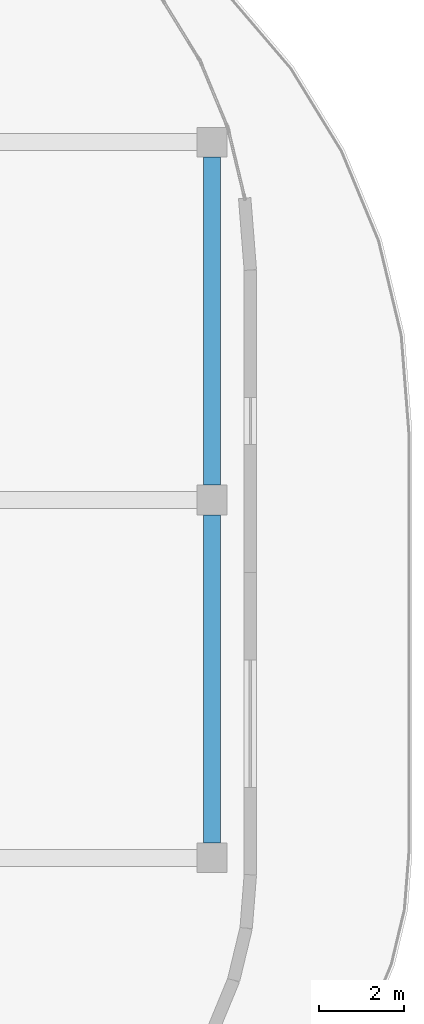
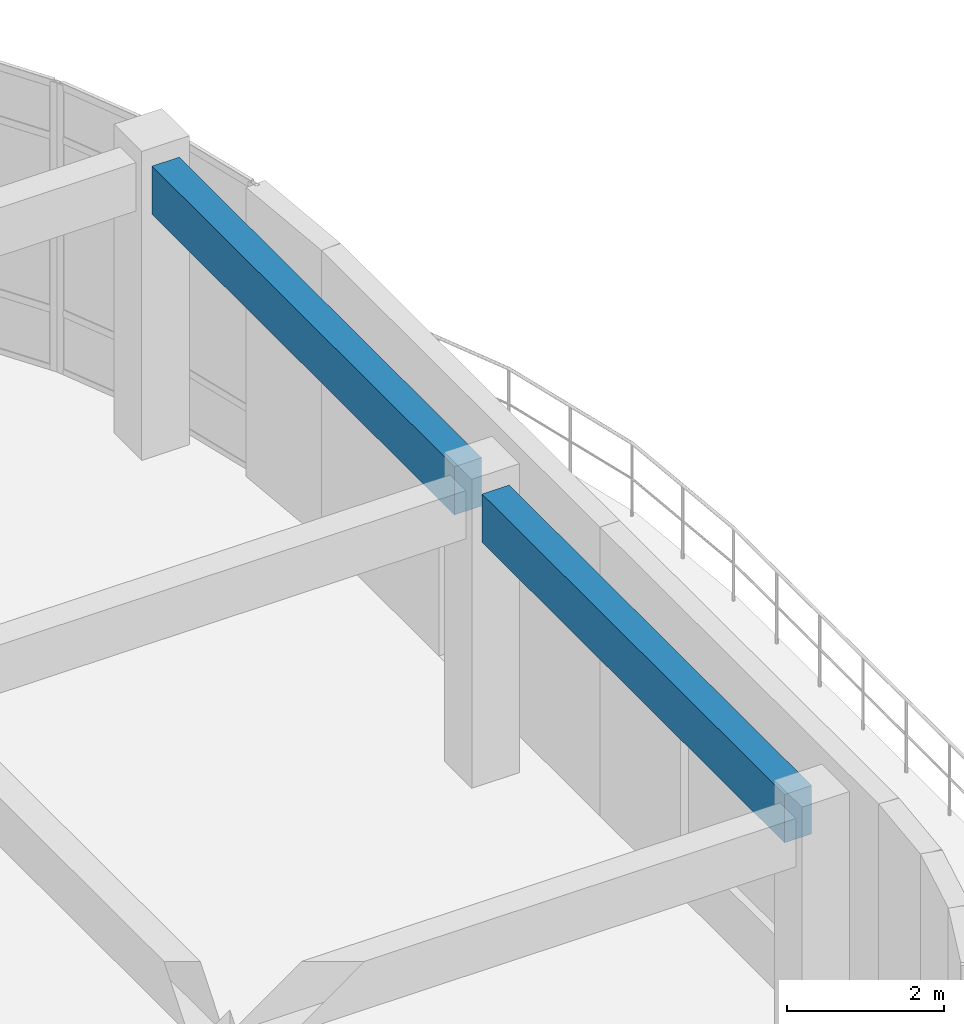
# One storey, part 44 of 64: 2 beams.
"""IFC4 building model written with IfcOpenShell, lengths in metres."""

from ifc_helpers import new_model, si_unit, derived_unit, direction, frame, origin, origin_2d, place, context, subcontext, project, spatial, rectangle, extrude, material, material_profile, profile_set, type_object, element, save


model = new_model("IFC4")

# Units and contexts
model_context = context("Model", 3, precision=1e-05, world=origin(), true_north=direction((0.0, 1.0)))
body_context = subcontext(model_context, "Body", "Model", "MODEL_VIEW")
ifc_project = project(units=[si_unit("LENGTHUNIT", "METRE"), si_unit("AREAUNIT", "SQUARE_METRE"), si_unit("VOLUMEUNIT", "CUBIC_METRE"), si_unit("PLANEANGLEUNIT", "RADIAN"), si_unit("MASSUNIT", "GRAM", prefix="KILO"), derived_unit("THERMALTRANSMITTANCEUNIT", [(si_unit("MASSUNIT", "GRAM", prefix="KILO"), 1), (si_unit("TIMEUNIT", "SECOND"), -3), (si_unit("THERMODYNAMICTEMPERATUREUNIT", "KELVIN"), -1)])], contexts=[model_context])

# Site, building, storey
site_placement = place(None, origin())
site = spatial("IfcSite", under=ifc_project, at=site_placement, CompositionType="ELEMENT")
building_placement = place(site_placement, origin())
building = spatial("IfcBuilding", under=site, at=building_placement, Name="Qinzheling Arcade Emporium", CompositionType="ELEMENT")
storey_placement = place(building_placement, frame((0.0, 0.0, 31.5)))
storey = spatial("IfcBuildingStorey", under=building, at=storey_placement, Name="L07", CompositionType="ELEMENT", Elevation=31.5)

# Beams
ifc_material = material(Name="Concrete C40", Category="concrete")
ifc_material_profile = material_profile(ifc_material, rectangle(XDim=0.39990234375, YDim=0.75, at=origin_2d()), Name="RC 400x750", Category="concrete")
ifc_profile_set = profile_set([ifc_material_profile], Name="Concrete C40")
beam_type = type_object("IfcBeamType", Name="RC Interior Tie Beam 400x750 C40", PredefinedType="BEAM", material=ifc_profile_set)
for number, where, z_axis, x_axis, name in (
    (1, (130.5, 82.550048828125, 4.14501953125), (0.0, 1.0, 0.0), (-1.0, 0.0, 0.0), "Beam BM-L07-Y-16-K"),
    (2, (130.5, 90.949951171875, 4.14501953125), (0.0, 1.0, 0.0), (-1.0, 0.0, 0.0), "Beam BM-L07-Y-16-L"),
):
    element("IfcBeam", number, at=place(storey_placement, frame(where, z_axis=z_axis, x_axis=x_axis)), inside=storey, type_object=beam_type, Name=name, PredefinedType="BEAM", context=body_context, shape_type="SweptSolid", body=[
        extrude(rectangle(XDim=0.39990234375, YDim=0.75, at=origin_2d()), origin(), (0.0, 0.0, 1.0), 7.699951171875),
    ])

save(model, "model.ifc")
